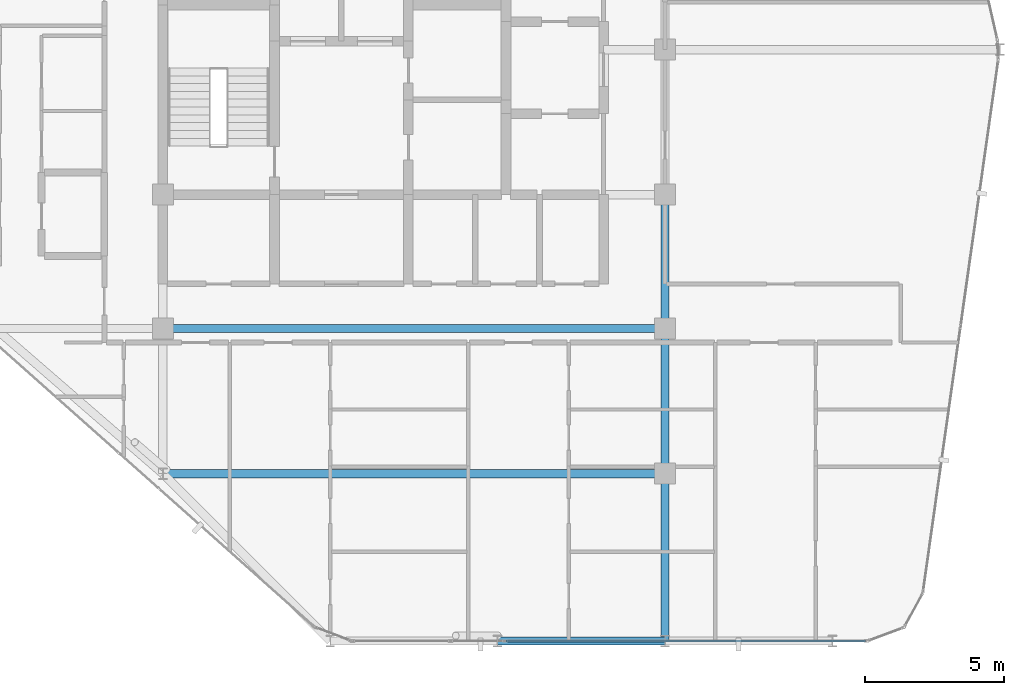
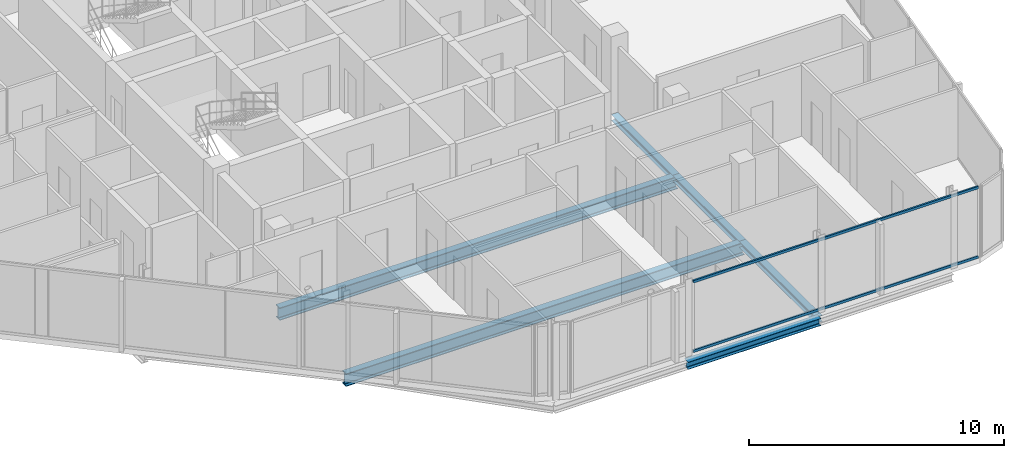
# One storey, part 7 of 28: 6 beams, 2 members, 1 element without a shape of its own.
"""IFC4 building model written with IfcOpenShell, lengths in metres."""

from ifc_helpers import new_model, si_unit, direction, frame, origin, origin_2d, place, context, subcontext, project, spatial, hollow_rectangle, i_section, extrude, material, layer, layer_set, material_profile, profile_set, type_object, element, aggregate, save


model = new_model("IFC4")

# Units and contexts
model_context = context("Model", 3, precision=1e-05, world=origin(), true_north=direction((0.0, 1.0)))
body_context = subcontext(model_context, "Body", "Model", "MODEL_VIEW")
ifc_project = project(units=[si_unit("LENGTHUNIT", "METRE"), si_unit("AREAUNIT", "SQUARE_METRE"), si_unit("VOLUMEUNIT", "CUBIC_METRE"), si_unit("PLANEANGLEUNIT", "RADIAN"), si_unit("MASSUNIT", "GRAM", prefix="KILO")], contexts=[model_context])

# Site, building, storey
site_placement = place(None, origin())
site = spatial("IfcSite", under=ifc_project, at=site_placement, CompositionType="ELEMENT")
building_placement = place(site_placement, origin())
building = spatial("IfcBuilding", under=site, at=building_placement, Name="Keshet Zoharim Tower", CompositionType="ELEMENT")
storey_placement = place(building_placement, frame((0.0, 0.0, 251.0)))
storey = spatial("IfcBuildingStorey", under=building, at=storey_placement, Name="L62", CompositionType="ELEMENT", Elevation=251.0)

# Beams
ifc_material_1 = material(Name="Steel S355", Category="steel")
ifc_material_profile_1 = material_profile(ifc_material_1, i_section(OverallWidth=0.300048828125, OverallDepth=0.60009765625, WebThickness=0.015380859375, FlangeThickness=0.030029296875, FilletRadius=0.027099609375, at=origin_2d()), Name="HEB600")
ifc_profile_set_1 = profile_set([ifc_material_profile_1], Name="Steel S355")
beam_type_1 = type_object("IfcBeamType", Name="BM-LNG-HB600", PredefinedType="BEAM", material=ifc_profile_set_1)
for number, where, z_axis, x_axis, name in (
    (1, (15.0, 12.699951171875, -0.610107421875), (1.0, 0.0, 0.0), (0.0, 1.0, 0.0), "L62 Primary Girder X-004"),
    (2, (15.0, 17.89990234375, -0.610107421875), (1.0, 0.0, 0.0), (0.0, 1.0, 0.0), "L62 Primary Girder X-006"),
):
    element("IfcBeam", number, at=place(storey_placement, frame(where, z_axis=z_axis, x_axis=x_axis)), inside=storey, type_object=beam_type_1, Name=name, PredefinedType="BEAM", context=body_context, shape_type="SweptSolid", body=[
        extrude(i_section(OverallWidth=0.300048828125, OverallDepth=0.60009765625, WebThickness=0.015380859375, FlangeThickness=0.030029296875, FilletRadius=0.027099609375, at=origin_2d()), origin(), (0.0, 0.0, 1.0), 18.0),
    ])
ifc_material_profile_2 = material_profile(ifc_material_1, i_section(OverallWidth=0.300048828125, OverallDepth=0.2900390625, WebThickness=0.008544921875, FlangeThickness=0.013916015625, FilletRadius=0.027099609375, at=origin_2d()), Name="HEA300")
ifc_profile_set_2 = profile_set([ifc_material_profile_2], Name="Steel S355")
beam_type_2 = type_object("IfcBeamType", Name="BM-PRI-HA300", PredefinedType="BEAM", material=ifc_profile_set_2)
beam_1_placement = place(storey_placement, frame((33.0, 6.699951171875, -0.455078125), z_axis=(0.0, 1.0, 0.0), x_axis=(-1.0, 0.0, 0.0)))
element("IfcBeam", 3, at=beam_1_placement, inside=storey, type_object=beam_type_2, Name="L62 Primary Girder Y-004", PredefinedType="BEAM", context=body_context, shape_type="SweptSolid", body=[
    extrude(i_section(OverallWidth=0.300048828125, OverallDepth=0.2900390625, WebThickness=0.008544921875, FlangeThickness=0.013916015625, FilletRadius=0.027099609375, at=origin_2d()), origin(), (0.0, 0.0, 1.0), 6.0),
])
beam_2_placement = place(storey_placement, frame((33.0, 12.699951171875, -0.455078125), z_axis=(0.0, 1.0, 0.0), x_axis=(-1.0, 0.0, 0.0)))
element("IfcBeam", 4, at=beam_2_placement, inside=storey, type_object=beam_type_2, Name="L62 Primary Girder Y-005", PredefinedType="BEAM", context=body_context, shape_type="SweptSolid", body=[
    extrude(i_section(OverallWidth=0.300048828125, OverallDepth=0.2900390625, WebThickness=0.008544921875, FlangeThickness=0.013916015625, FilletRadius=0.027099609375, at=origin_2d()), origin(), (0.0, 0.0, 1.0), 5.199951171875),
])
beam_3_placement = place(storey_placement, frame((33.0, 17.89990234375, -0.455078125), z_axis=(0.0, 1.0, 0.0), x_axis=(-1.0, 0.0, 0.0)))
element("IfcBeam", 5, at=beam_3_placement, inside=storey, type_object=beam_type_2, Name="L62 Primary Girder Y-006", PredefinedType="BEAM", context=body_context, shape_type="SweptSolid", body=[
    extrude(i_section(OverallWidth=0.300048828125, OverallDepth=0.2900390625, WebThickness=0.008544921875, FlangeThickness=0.013916015625, FilletRadius=0.027099609375, at=origin_2d()), origin(), (0.0, 0.0, 1.0), 4.800048828125),
])
ifc_material_profile_3 = material_profile(ifc_material_1, i_section(OverallWidth=0.300048828125, OverallDepth=0.35009765625, WebThickness=0.010009765625, FlangeThickness=0.017578125, FilletRadius=0.027099609375, at=origin_2d()), Name="HEA360")
ifc_profile_set_3 = profile_set([ifc_material_profile_3], Name="Steel S355")
beam_type_3 = type_object("IfcBeamType", Name="BM-PRI-HA360", PredefinedType="BEAM", material=ifc_profile_set_3)
beam_4_placement = place(storey_placement, frame((27.0, 6.699951171875, -0.485107421875), z_axis=(1.0, 0.0, 0.0), x_axis=(0.0, 1.0, 0.0)))
element("IfcBeam", 6, at=beam_4_placement, inside=storey, type_object=beam_type_3, Name="L62 Primary Girder X-002", PredefinedType="BEAM", context=body_context, shape_type="SweptSolid", body=[
    extrude(i_section(OverallWidth=0.300048828125, OverallDepth=0.35009765625, WebThickness=0.010009765625, FlangeThickness=0.017578125, FilletRadius=0.027099609375, at=origin_2d()), origin(), (0.0, 0.0, 1.0), 6.0),
])

# Curtain wall, members
ifc_material_2 = material(Name="Aluminium 6063-T6", Category="aluminium")
ifc_layer = layer(ifc_material_2, 0.260009765625)
ifc_layer_set = layer_set([ifc_layer], Name="Aluminium 6063-T6")
curtain_wall_type = type_object("IfcCurtainWallType", Name="CW-SYS-06", PredefinedType="NOTDEFINED", material=ifc_layer_set)
curtain_wall_placement = place(storey_placement, origin())
curtain_wall = element("IfcCurtainWall", 7, at=curtain_wall_placement, inside=storey, type_object=curtain_wall_type, Name="L62 Unitised Curtain Wall 14", PredefinedType="NOTDEFINED")
ifc_material_profile_4 = material_profile(ifc_material_2, hollow_rectangle(XDim=0.074951171875, YDim=0.1201171875, WallThickness=0.00390625, at=origin_2d()), Name="TRN-75x120")
ifc_profile_set_4 = profile_set([ifc_material_profile_4], Name="Aluminium 6063-T6")
member_type = type_object("IfcMemberType", Name="CWT-T12", PredefinedType="USERDEFINED", material=ifc_profile_set_4)
member_1_placement = place(storey_placement, frame((40.193115234375, 6.699951171875, 0.034912109375), z_axis=(-1.0, 0.0, 0.0), x_axis=(0.0, -1.0, 0.0)))
member_1 = element("IfcMember", 8, at=member_1_placement, type_object=member_type, Name="CW-06 transom 1.1", ObjectType="TRANSOM", PredefinedType="USERDEFINED", context=body_context, shape_type="SweptSolid", body=[
    extrude(hollow_rectangle(XDim=0.074951171875, YDim=0.1201171875, WallThickness=0.00390625, at=origin_2d()), origin(), (0.0, 0.0, 1.0), 12.898193359375),
])
member_2_placement = place(storey_placement, frame((40.193115234375, 6.699951171875, 3.35498046875), z_axis=(-1.0, 0.0, 0.0), x_axis=(0.0, -1.0, 0.0)))
member_2 = element("IfcMember", 9, at=member_2_placement, type_object=member_type, Name="CW-06 transom 1.2", ObjectType="TRANSOM", PredefinedType="USERDEFINED", context=body_context, shape_type="SweptSolid", body=[
    extrude(hollow_rectangle(XDim=0.074951171875, YDim=0.1201171875, WallThickness=0.00390625, at=origin_2d()), origin(), (0.0, 0.0, 1.0), 12.898193359375),
])
aggregate(curtain_wall, [member_1, member_2])

save(model, "model.ifc")
